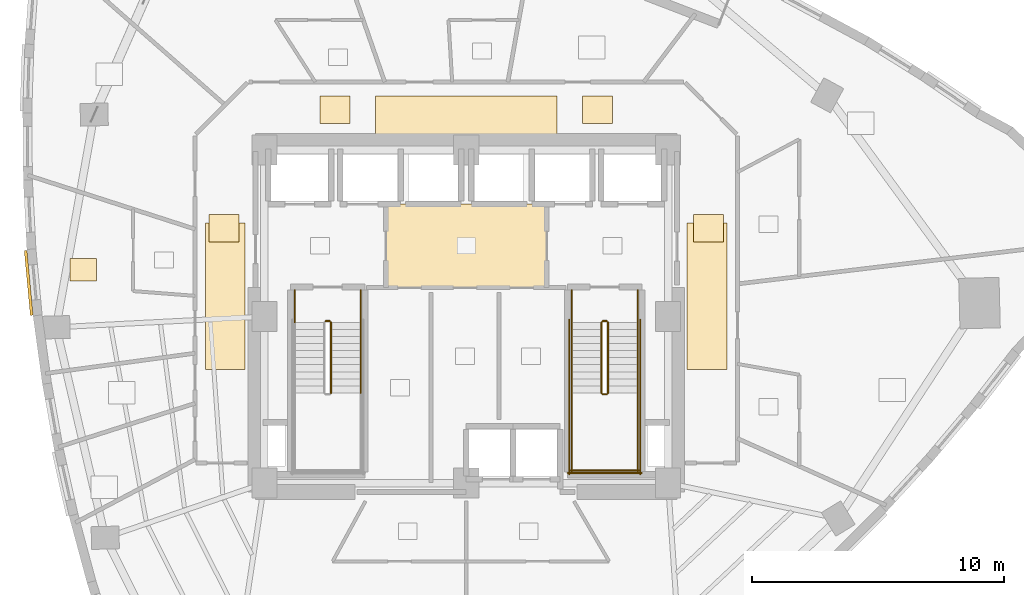
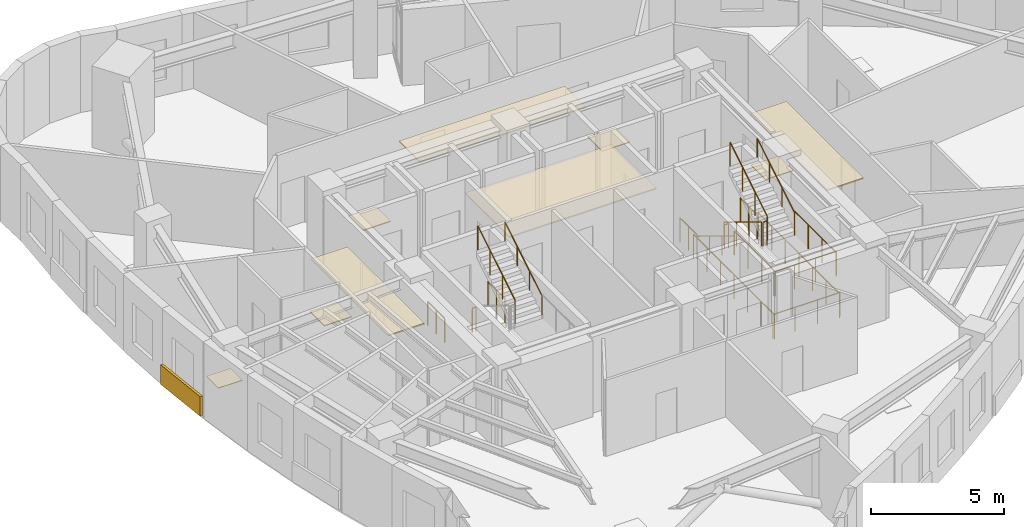
# One storey, part 12 of 13: 19 railings, 10 coverings.
"""IFC4 building model written with IfcOpenShell, lengths in metres."""

from ifc_helpers import new_model, si_unit, direction, frame, origin, origin_2d, place, context, subcontext, project, spatial, rectangle, circle, extrude, material, layer, layer_set, type_object, element, save


model = new_model("IFC4")

# Units and contexts
model_context = context("Model", 3, precision=1e-05, world=origin(), true_north=direction((0.0, 1.0)))
body_context = subcontext(model_context, "Body", "Model", "MODEL_VIEW")
ifc_project = project(units=[si_unit("LENGTHUNIT", "METRE"), si_unit("AREAUNIT", "SQUARE_METRE"), si_unit("VOLUMEUNIT", "CUBIC_METRE"), si_unit("PLANEANGLEUNIT", "RADIAN"), si_unit("MASSUNIT", "GRAM", prefix="KILO")], contexts=[model_context])

# Site, building, storey
site_placement = place(None, origin())
site = spatial("IfcSite", under=ifc_project, at=site_placement, CompositionType="ELEMENT")
building_placement = place(site_placement, origin())
building = spatial("IfcBuilding", under=site, at=building_placement, Name="Ndelora Gate Hotel", CompositionType="ELEMENT")
storey_placement = place(building_placement, frame((0.0, 0.0, 157.25)))
storey = spatial("IfcBuildingStorey", under=building, at=storey_placement, Name="L39", CompositionType="ELEMENT", Elevation=157.25)

# Coverings
ifc_material_1 = material(Name="Perforated Acoustic Gypsum Board", Category="gypsum")
ifc_layer_1 = layer(ifc_material_1, 0.054931640625)
ifc_layer_set_1 = layer_set([ifc_layer_1], Name="Perforated Acoustic Gypsum Board")
covering_type_1 = type_object("IfcCoveringType", Name="COV-CEIL-AC60", PredefinedType="CEILING", material=ifc_layer_set_1)
covering_1_placement = place(storey_placement, frame((0.0, 2.800048828125, 2.72265625), z_axis=(0.0, 0.0, 1.0), x_axis=(1.0, 0.0, 0.0)))
element("IfcCovering", 1, at=covering_1_placement, inside=storey, type_object=covering_type_1, Name="L39 Lift Lobby Acoustic Ceiling", PredefinedType="CEILING", context=body_context, shape_type="SweptSolid", body=[
    extrude(rectangle(XDim=6.39990234375, YDim=3.340087890625, at=origin_2d()), origin(), (0.0, 0.0, 1.0), 0.054931640625),
])
covering_2_placement = place(storey_placement, frame((0.0, 7.9599609375, 2.65234375), z_axis=(0.0, 0.0, 1.0), x_axis=(1.0, 0.0, 0.0)))
element("IfcCovering", 2, at=covering_2_placement, inside=storey, type_object=covering_type_1, Name="L39 Guest Corridor Acoustic Ceiling N", PredefinedType="CEILING", context=body_context, shape_type="SweptSolid", body=[
    extrude(rectangle(XDim=7.199951171875, YDim=1.580078125, at=origin_2d()), origin(), (0.0, 0.0, 1.0), 0.054931640625),
])
for number, where, z_axis, x_axis, name in (
    (3, (-9.550048828125, 0.800048828125, 2.65234375), (0.0, 0.0, 1.0), (1.0, 0.0, 0.0), "L39 Guest Corridor Acoustic Ceiling W"),
    (4, (9.550048828125, 0.800048828125, 2.65234375), (0.0, 0.0, 1.0), (1.0, 0.0, 0.0), "L39 Guest Corridor Acoustic Ceiling E"),
):
    element("IfcCovering", number, at=place(storey_placement, frame(where, z_axis=z_axis, x_axis=x_axis)), inside=storey, type_object=covering_type_1, Name=name, PredefinedType="CEILING", context=body_context, shape_type="SweptSolid", body=[
        extrude(rectangle(XDim=1.580078125, YDim=5.800048828125, at=origin_2d()), origin(), (0.0, 0.0, 1.0), 0.054931640625),
    ])
ifc_material_2 = material(Name="Terracotta Fired Clay Brick Slip Cladding", Category="masonry")
ifc_layer_2 = layer(ifc_material_2, 0.110107421875)
ifc_layer_set_2 = layer_set([ifc_layer_2], Name="Terracotta Fired Clay Brick Slip Cladding")
covering_type_2 = type_object("IfcCoveringType", Name="COV-CLAD-BRK", PredefinedType="CLADDING", material=ifc_layer_set_2)
covering_3_placement = place(storey_placement, frame((-17.343505859375, 1.336669921875, 0.10009765625), z_axis=(0.0, 0.0, 1.0), x_axis=(-0.093239485886, 0.995643710507, 0.0)))
element("IfcCovering", 5, at=covering_3_placement, inside=storey, type_object=covering_type_2, Name="L39 Rounded-Corner Brick Cladding Band 13", PredefinedType="CLADDING", context=body_context, shape_type="SweptSolid", body=[
    extrude(rectangle(XDim=2.583984375, YDim=0.110107421875, at=origin_2d()), origin(), (0.0, 0.0, 1.0), 0.89990234375),
])
ifc_material_3 = material(Name="Engineered Highland Oak Parquet", Category="wood")
ifc_layer_3 = layer(ifc_material_3, 0.030029296875)
ifc_layer_set_3 = layer_set([ifc_layer_3], Name="Engineered Highland Oak Parquet")
covering_type_3 = type_object("IfcCoveringType", Name="COV-FLR-PARQ", PredefinedType="FLOORING", material=ifc_layer_set_3)
covering_4_placement = place(storey_placement, frame((-15.17919921875, 1.85302734375, 0.0), z_axis=(0.0, 0.0, 1.0), x_axis=(1.0, 0.0, 0.0)))
element("IfcCovering", 6, at=covering_4_placement, inside=storey, type_object=covering_type_3, Name="L39 Club Twin Guest Room 4207 Oak Parquet Flooring", PredefinedType="FLOORING", context=body_context, shape_type="SweptSolid", body=[
    extrude(rectangle(XDim=1.050048828125, YDim=0.89990234375, at=origin_2d()), origin(), (0.0, 0.0, 1.0), 0.030029296875),
])
ifc_material_4 = material(Name="Polished Highland Stone Terrazzo", Category="masonry")
ifc_layer_4 = layer(ifc_material_4, 0.034912109375)
ifc_layer_set_4 = layer_set([ifc_layer_4], Name="Polished Highland Stone Terrazzo")
covering_type_4 = type_object("IfcCoveringType", Name="COV-FLR-TERZ", PredefinedType="FLOORING", material=ifc_layer_set_4)
for number, where, z_axis, x_axis, name in (
    (7, (-5.199951171875, 8.199951171875, 0.0), (0.0, 0.0, 1.0), (1.0, 0.0, 0.0), "L39 Corridor Threshold Terrazzo Inlay NW"),
    (8, (5.199951171875, 8.199951171875, 0.0), (0.0, 0.0, 1.0), (1.0, 0.0, 0.0), "L39 Corridor Threshold Terrazzo Inlay NE"),
    (9, (-9.60009765625, 3.5, 0.0), (0.0, 0.0, 1.0), (1.0, 0.0, 0.0), "L39 Corridor Threshold Terrazzo Inlay W"),
    (10, (9.60009765625, 3.5, 0.0), (0.0, 0.0, 1.0), (1.0, 0.0, 0.0), "L39 Corridor Threshold Terrazzo Inlay E"),
):
    element("IfcCovering", number, at=place(storey_placement, frame(where, z_axis=z_axis, x_axis=x_axis)), inside=storey, type_object=covering_type_4, Name=name, PredefinedType="FLOORING", context=body_context, shape_type="SweptSolid", body=[
        extrude(rectangle(XDim=1.199951171875, YDim=1.10009765625, at=origin_2d()), origin(), (0.0, 0.0, 1.0), 0.034912109375),
    ])

# Railings
ifc_material_5 = material(Name="Painted Galvanized Steel Balustrade", Category="steel")
ifc_layer_5 = layer(ifc_material_5, 0.06005859375)
ifc_layer_set_5 = layer_set([ifc_layer_5], Name="Painted Galvanized Steel Balustrade")
railing_type_1 = type_object("IfcRailingType", Name="RL-STAIR-GD", PredefinedType="GUARDRAIL", material=ifc_layer_set_5)
railing_1_placement = place(storey_placement, frame((-5.360107421875, -3.030029296875, 2.04541015625)))
element("IfcRailing", 11, at=railing_1_placement, inside=storey, type_object=railing_type_1, Name="L39 ST4 stair guard 6", PredefinedType="GUARDRAIL", context=body_context, shape_type="SweptSolid", body=[
    extrude(circle(Radius=0.02392578125, at=origin_2d()), frame((0.0, 0.0, 1.10595703125), z_axis=(0.0, 0.854169791009, 0.51999420009), x_axis=(-1.0, 0.0, 0.0)), (0.0, 0.0, 1.0), 3.278076171875),
    extrude(circle(Radius=0.02099609375, at=origin_2d()), origin(), (0.0, 0.0, 1.0), 1.081787109375),
    extrude(circle(Radius=0.02099609375, at=origin_2d()), frame((0.0, 0.933349609375, 0.568115234375)), (0.0, 0.0, 1.0), 1.081787109375),
    extrude(circle(Radius=0.02099609375, at=origin_2d()), frame((0.0, 1.86669921875, 1.136474609375)), (0.0, 0.0, 1.0), 1.081787109375),
    extrude(circle(Radius=0.02099609375, at=origin_2d()), frame((0.0, 2.800048828125, 1.70458984375)), (0.0, 0.0, 1.0), 1.081787109375),
])
railing_2_placement = place(storey_placement, frame((-5.570068359375, -0.179931640625, 0.0)))
element("IfcRailing", 12, at=railing_2_placement, inside=storey, type_object=railing_type_1, Name="L39 ST4 stair guard 7", PredefinedType="GUARDRAIL", context=body_context, shape_type="SweptSolid", body=[
    extrude(circle(Radius=0.02392578125, at=origin_2d()), frame((0.0, 0.0, 1.10595703125), z_axis=(1.0, 0.0, 0.0), x_axis=(0.0, 1.0, 0.0)), (0.0, 0.0, 1.0), 0.16015625),
    extrude(circle(Radius=0.02099609375, at=origin_2d()), origin(), (0.0, 0.0, 1.0), 1.081787109375),
    extrude(circle(Radius=0.02099609375, at=origin_2d()), frame((0.16015625, 0.0, 0.0)), (0.0, 0.0, 1.0), 1.081787109375),
])
for number, where, name in (
    (13, (-6.800048828125, 1.050048828125, 0.0), "L39 ST4 stair guard 8"),
    (14, (-4.179931640625, 1.050048828125, 0.0), "L39 ST4 stair guard 9"),
):
    element("IfcRailing", number, at=place(storey_placement, frame(where)), inside=storey, type_object=railing_type_1, Name=name, PredefinedType="GUARDRAIL", context=body_context, shape_type="SweptSolid", body=[
        extrude(circle(Radius=0.02392578125, at=origin_2d()), frame((0.0, 0.0, 1.10595703125), z_axis=(0.0, -1.0, 0.0), x_axis=(1.0, 0.0, 0.0)), (0.0, 0.0, 1.0), 1.280029296875),
        extrude(circle(Radius=0.02099609375, at=origin_2d()), origin(), (0.0, 0.0, 1.0), 1.081787109375),
        extrude(circle(Radius=0.02099609375, at=origin_2d()), frame((0.0, -0.64013671875, 0.0)), (0.0, 0.0, 1.0), 1.081787109375),
        extrude(circle(Radius=0.02099609375, at=origin_2d()), frame((0.0, -1.280029296875, 0.0)), (0.0, 0.0, 1.0), 1.081787109375),
    ])
railing_3_placement = place(storey_placement, frame((5.360107421875, -0.22998046875, 0.17041015625)))
element("IfcRailing", 15, at=railing_3_placement, inside=storey, type_object=railing_type_1, Name="L39 ST5 stair guard 1", PredefinedType="GUARDRAIL", context=body_context, shape_type="SweptSolid", body=[
    extrude(circle(Radius=0.02392578125, at=origin_2d()), frame((0.0, 0.0, 1.10595703125), z_axis=(0.0, -0.854169791009, 0.51999420009), x_axis=(1.0, 0.0, 0.0)), (0.0, 0.0, 1.0), 3.278076171875),
    extrude(circle(Radius=0.02099609375, at=origin_2d()), origin(), (0.0, 0.0, 1.0), 1.081787109375),
    extrude(circle(Radius=0.02099609375, at=origin_2d()), frame((0.0, -0.933349609375, 0.568115234375)), (0.0, 0.0, 1.0), 1.081787109375),
    extrude(circle(Radius=0.02099609375, at=origin_2d()), frame((0.0, -1.86669921875, 1.136474609375)), (0.0, 0.0, 1.0), 1.081787109375),
    extrude(circle(Radius=0.02099609375, at=origin_2d()), frame((0.0, -2.800048828125, 1.70458984375)), (0.0, 0.0, 1.0), 1.081787109375),
])
railing_4_placement = place(storey_placement, frame((5.409912109375, -3.080078125, 1.875)))
element("IfcRailing", 16, at=railing_4_placement, inside=storey, type_object=railing_type_1, Name="L39 ST5 stair guard 2", PredefinedType="GUARDRAIL", context=body_context, shape_type="SweptSolid", body=[
    extrude(circle(Radius=0.02392578125, at=origin_2d()), frame((0.0, 0.0, 1.10595703125), z_axis=(1.0, 0.0, 0.0), x_axis=(0.0, 1.0, 0.0)), (0.0, 0.0, 1.0), 0.16015625),
    extrude(circle(Radius=0.02099609375, at=origin_2d()), origin(), (0.0, 0.0, 1.0), 1.081787109375),
    extrude(circle(Radius=0.02099609375, at=origin_2d()), frame((0.16015625, 0.0, 0.0)), (0.0, 0.0, 1.0), 1.081787109375),
])
for number, where, name in (
    (17, (4.179931640625, -3.030029296875, 1.875), "L39 ST5 stair guard 3"),
    (18, (6.800048828125, -3.030029296875, 1.875), "L39 ST5 stair guard 4"),
):
    element("IfcRailing", number, at=place(storey_placement, frame(where)), inside=storey, type_object=railing_type_1, Name=name, PredefinedType="GUARDRAIL", context=body_context, shape_type="SweptSolid", body=[
        extrude(circle(Radius=0.02392578125, at=origin_2d()), frame((0.0, 0.0, 1.10595703125), z_axis=(0.0, -1.0, 0.0), x_axis=(1.0, 0.0, 0.0)), (0.0, 0.0, 1.0), 3.119873046875),
        extrude(circle(Radius=0.02099609375, at=origin_2d()), origin(), (0.0, 0.0, 1.0), 1.081787109375),
        extrude(circle(Radius=0.02099609375, at=origin_2d()), frame((0.0, -1.0400390625, 0.0)), (0.0, 0.0, 1.0), 1.081787109375),
        extrude(circle(Radius=0.02099609375, at=origin_2d()), frame((0.0, -2.079833984375, 0.0)), (0.0, 0.0, 1.0), 1.081787109375),
        extrude(circle(Radius=0.02099609375, at=origin_2d()), frame((0.0, -3.119873046875, 0.0)), (0.0, 0.0, 1.0), 1.081787109375),
    ])
railing_5_placement = place(storey_placement, frame((4.1298828125, -6.10009765625, 1.875)))
element("IfcRailing", 19, at=railing_5_placement, inside=storey, type_object=railing_type_1, Name="L39 ST5 stair guard 5", PredefinedType="GUARDRAIL", context=body_context, shape_type="SweptSolid", body=[
    extrude(circle(Radius=0.02392578125, at=origin_2d()), frame((0.0, 0.0, 1.10595703125), z_axis=(1.0, 0.0, 0.0), x_axis=(0.0, 1.0, 0.0)), (0.0, 0.0, 1.0), 2.72021484375),
    extrude(circle(Radius=0.02099609375, at=origin_2d()), origin(), (0.0, 0.0, 1.0), 1.081787109375),
    extrude(circle(Radius=0.02099609375, at=origin_2d()), frame((0.90673828125, 0.0, 0.0)), (0.0, 0.0, 1.0), 1.081787109375),
    extrude(circle(Radius=0.02099609375, at=origin_2d()), frame((1.8134765625, 0.0, 0.0)), (0.0, 0.0, 1.0), 1.081787109375),
    extrude(circle(Radius=0.02099609375, at=origin_2d()), frame((2.72021484375, 0.0, 0.0)), (0.0, 0.0, 1.0), 1.081787109375),
])
railing_6_placement = place(storey_placement, frame((5.6201171875, -3.030029296875, 2.04541015625)))
element("IfcRailing", 20, at=railing_6_placement, inside=storey, type_object=railing_type_1, Name="L39 ST5 stair guard 6", PredefinedType="GUARDRAIL", context=body_context, shape_type="SweptSolid", body=[
    extrude(circle(Radius=0.02392578125, at=origin_2d()), frame((0.0, 0.0, 1.10595703125), z_axis=(0.0, 0.854169791009, 0.51999420009), x_axis=(-1.0, 0.0, 0.0)), (0.0, 0.0, 1.0), 3.278076171875),
    extrude(circle(Radius=0.02099609375, at=origin_2d()), origin(), (0.0, 0.0, 1.0), 1.081787109375),
    extrude(circle(Radius=0.02099609375, at=origin_2d()), frame((0.0, 0.933349609375, 0.568115234375)), (0.0, 0.0, 1.0), 1.081787109375),
    extrude(circle(Radius=0.02099609375, at=origin_2d()), frame((0.0, 1.86669921875, 1.136474609375)), (0.0, 0.0, 1.0), 1.081787109375),
    extrude(circle(Radius=0.02099609375, at=origin_2d()), frame((0.0, 2.800048828125, 1.70458984375)), (0.0, 0.0, 1.0), 1.081787109375),
])
railing_7_placement = place(storey_placement, frame((5.409912109375, -0.179931640625, 0.0)))
element("IfcRailing", 21, at=railing_7_placement, inside=storey, type_object=railing_type_1, Name="L39 ST5 stair guard 7", PredefinedType="GUARDRAIL", context=body_context, shape_type="SweptSolid", body=[
    extrude(circle(Radius=0.02392578125, at=origin_2d()), frame((0.0, 0.0, 1.10595703125), z_axis=(1.0, 0.0, 0.0), x_axis=(0.0, 1.0, 0.0)), (0.0, 0.0, 1.0), 0.16015625),
    extrude(circle(Radius=0.02099609375, at=origin_2d()), origin(), (0.0, 0.0, 1.0), 1.081787109375),
    extrude(circle(Radius=0.02099609375, at=origin_2d()), frame((0.16015625, 0.0, 0.0)), (0.0, 0.0, 1.0), 1.081787109375),
])
for number, where, name in (
    (22, (4.179931640625, 1.050048828125, 0.0), "L39 ST5 stair guard 8"),
    (23, (6.800048828125, 1.050048828125, 0.0), "L39 ST5 stair guard 9"),
):
    element("IfcRailing", number, at=place(storey_placement, frame(where)), inside=storey, type_object=railing_type_1, Name=name, PredefinedType="GUARDRAIL", context=body_context, shape_type="SweptSolid", body=[
        extrude(circle(Radius=0.02392578125, at=origin_2d()), frame((0.0, 0.0, 1.10595703125), z_axis=(0.0, -1.0, 0.0), x_axis=(1.0, 0.0, 0.0)), (0.0, 0.0, 1.0), 1.280029296875),
        extrude(circle(Radius=0.02099609375, at=origin_2d()), origin(), (0.0, 0.0, 1.0), 1.081787109375),
        extrude(circle(Radius=0.02099609375, at=origin_2d()), frame((0.0, -0.64013671875, 0.0)), (0.0, 0.0, 1.0), 1.081787109375),
        extrude(circle(Radius=0.02099609375, at=origin_2d()), frame((0.0, -1.280029296875, 0.0)), (0.0, 0.0, 1.0), 1.081787109375),
    ])
for number, where, name in (
    (24, (4.080078125, -0.1298828125, 0.0), "L39 ST5 stair guard 10"),
    (25, (6.89990234375, -0.1298828125, 0.0), "L39 ST5 stair guard 11"),
):
    element("IfcRailing", number, at=place(storey_placement, frame(where)), inside=storey, type_object=railing_type_1, Name=name, PredefinedType="GUARDRAIL", context=body_context, shape_type="SweptSolid", body=[
        extrude(circle(Radius=0.02392578125, at=origin_2d()), frame((0.0, 0.0, 1.10595703125), z_axis=(0.0, -1.0, 0.0), x_axis=(1.0, 0.0, 0.0)), (0.0, 0.0, 1.0), 6.1201171875),
        extrude(circle(Radius=0.02099609375, at=origin_2d()), origin(), (0.0, 0.0, 1.0), 1.081787109375),
        extrude(circle(Radius=0.02099609375, at=origin_2d()), frame((0.0, -1.02001953125, 0.0)), (0.0, 0.0, 1.0), 1.081787109375),
        extrude(circle(Radius=0.02099609375, at=origin_2d()), frame((0.0, -2.0400390625, 0.0)), (0.0, 0.0, 1.0), 1.081787109375),
        extrude(circle(Radius=0.02099609375, at=origin_2d()), frame((0.0, -3.06005859375, 0.0)), (0.0, 0.0, 1.0), 1.081787109375),
        extrude(circle(Radius=0.02099609375, at=origin_2d()), frame((0.0, -4.080078125, 0.0)), (0.0, 0.0, 1.0), 1.081787109375),
        extrude(circle(Radius=0.02099609375, at=origin_2d()), frame((0.0, -5.10009765625, 0.0)), (0.0, 0.0, 1.0), 1.081787109375),
        extrude(circle(Radius=0.02099609375, at=origin_2d()), frame((0.0, -6.1201171875, 0.0)), (0.0, 0.0, 1.0), 1.081787109375),
    ])
railing_8_placement = place(storey_placement, frame((4.030029296875, -6.199951171875, 0.0)))
element("IfcRailing", 26, at=railing_8_placement, inside=storey, type_object=railing_type_1, Name="L39 ST5 stair guard 12", PredefinedType="GUARDRAIL", context=body_context, shape_type="SweptSolid", body=[
    extrude(circle(Radius=0.02392578125, at=origin_2d()), frame((0.0, 0.0, 1.10595703125), z_axis=(1.0, 0.0, 0.0), x_axis=(0.0, 1.0, 0.0)), (0.0, 0.0, 1.0), 2.919921875),
    extrude(circle(Radius=0.02099609375, at=origin_2d()), origin(), (0.0, 0.0, 1.0), 1.081787109375),
    extrude(circle(Radius=0.02099609375, at=origin_2d()), frame((0.973388671875, 0.0, 0.0)), (0.0, 0.0, 1.0), 1.081787109375),
    extrude(circle(Radius=0.02099609375, at=origin_2d()), frame((1.946533203125, 0.0, 0.0)), (0.0, 0.0, 1.0), 1.081787109375),
    extrude(circle(Radius=0.02099609375, at=origin_2d()), frame((2.919921875, 0.0, 0.0)), (0.0, 0.0, 1.0), 1.081787109375),
])
ifc_material_6 = material(Name="Brushed Stainless Steel 316", Category="steel")
ifc_layer_6 = layer(ifc_material_6, 0.050048828125)
ifc_layer_set_6 = layer_set([ifc_layer_6], Name="Brushed Stainless Steel 316")
railing_type_2 = type_object("IfcRailingType", Name="RL-STAIR-HR", PredefinedType="HANDRAIL", material=ifc_layer_set_6)
railing_9_placement = place(storey_placement, frame((-4.179931640625, -3.030029296875, 2.04541015625)))
element("IfcRailing", 27, at=railing_9_placement, inside=storey, type_object=railing_type_2, Name="L39 ST4 stair handrail 2", PredefinedType="HANDRAIL", context=body_context, shape_type="SweptSolid", body=[
    extrude(circle(Radius=0.02392578125, at=origin_2d()), frame((0.0, 0.0, 0.8759765625), z_axis=(0.0, 0.854169791009, 0.51999420009), x_axis=(-1.0, 0.0, 0.0)), (0.0, 0.0, 1.0), 3.278076171875),
    extrude(circle(Radius=0.02099609375, at=origin_2d()), origin(), (0.0, 0.0, 1.0), 0.851806640625),
    extrude(circle(Radius=0.02099609375, at=origin_2d()), frame((0.0, 0.933349609375, 0.568115234375)), (0.0, 0.0, 1.0), 0.851806640625),
    extrude(circle(Radius=0.02099609375, at=origin_2d()), frame((0.0, 1.86669921875, 1.136474609375)), (0.0, 0.0, 1.0), 0.851806640625),
    extrude(circle(Radius=0.02099609375, at=origin_2d()), frame((0.0, 2.800048828125, 1.70458984375)), (0.0, 0.0, 1.0), 0.851806640625),
])
railing_10_placement = place(storey_placement, frame((4.179931640625, -0.22998046875, 0.17041015625)))
element("IfcRailing", 28, at=railing_10_placement, inside=storey, type_object=railing_type_2, Name="L39 ST5 stair handrail 1", PredefinedType="HANDRAIL", context=body_context, shape_type="SweptSolid", body=[
    extrude(circle(Radius=0.02392578125, at=origin_2d()), frame((0.0, 0.0, 0.8759765625), z_axis=(0.0, -0.854169791009, 0.51999420009), x_axis=(1.0, 0.0, 0.0)), (0.0, 0.0, 1.0), 3.278076171875),
    extrude(circle(Radius=0.02099609375, at=origin_2d()), origin(), (0.0, 0.0, 1.0), 0.851806640625),
    extrude(circle(Radius=0.02099609375, at=origin_2d()), frame((0.0, -0.933349609375, 0.568115234375)), (0.0, 0.0, 1.0), 0.851806640625),
    extrude(circle(Radius=0.02099609375, at=origin_2d()), frame((0.0, -1.86669921875, 1.136474609375)), (0.0, 0.0, 1.0), 0.851806640625),
    extrude(circle(Radius=0.02099609375, at=origin_2d()), frame((0.0, -2.800048828125, 1.70458984375)), (0.0, 0.0, 1.0), 0.851806640625),
])
railing_11_placement = place(storey_placement, frame((6.800048828125, -3.030029296875, 2.04541015625)))
element("IfcRailing", 29, at=railing_11_placement, inside=storey, type_object=railing_type_2, Name="L39 ST5 stair handrail 2", PredefinedType="HANDRAIL", context=body_context, shape_type="SweptSolid", body=[
    extrude(circle(Radius=0.02392578125, at=origin_2d()), frame((0.0, 0.0, 0.8759765625), z_axis=(0.0, 0.854169791009, 0.51999420009), x_axis=(-1.0, 0.0, 0.0)), (0.0, 0.0, 1.0), 3.278076171875),
    extrude(circle(Radius=0.02099609375, at=origin_2d()), origin(), (0.0, 0.0, 1.0), 0.851806640625),
    extrude(circle(Radius=0.02099609375, at=origin_2d()), frame((0.0, 0.933349609375, 0.568115234375)), (0.0, 0.0, 1.0), 0.851806640625),
    extrude(circle(Radius=0.02099609375, at=origin_2d()), frame((0.0, 1.86669921875, 1.136474609375)), (0.0, 0.0, 1.0), 0.851806640625),
    extrude(circle(Radius=0.02099609375, at=origin_2d()), frame((0.0, 2.800048828125, 1.70458984375)), (0.0, 0.0, 1.0), 0.851806640625),
])

save(model, "model.ifc")
